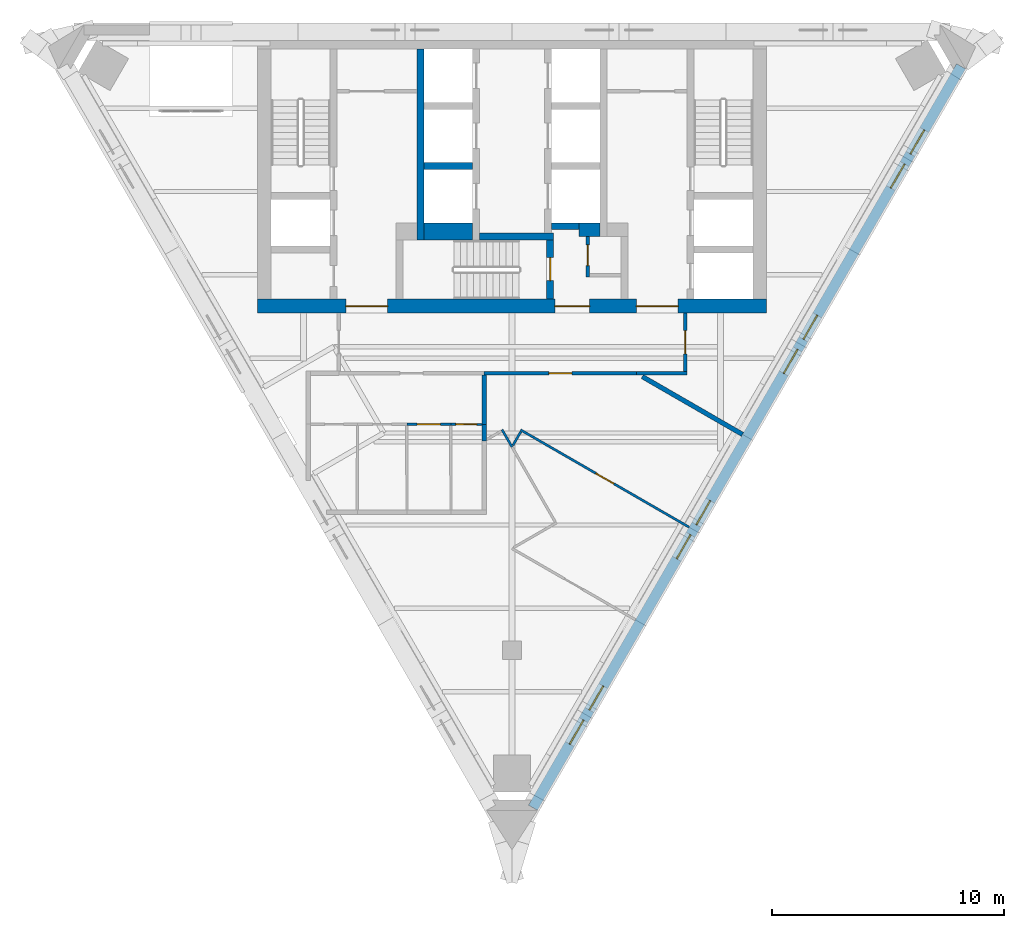
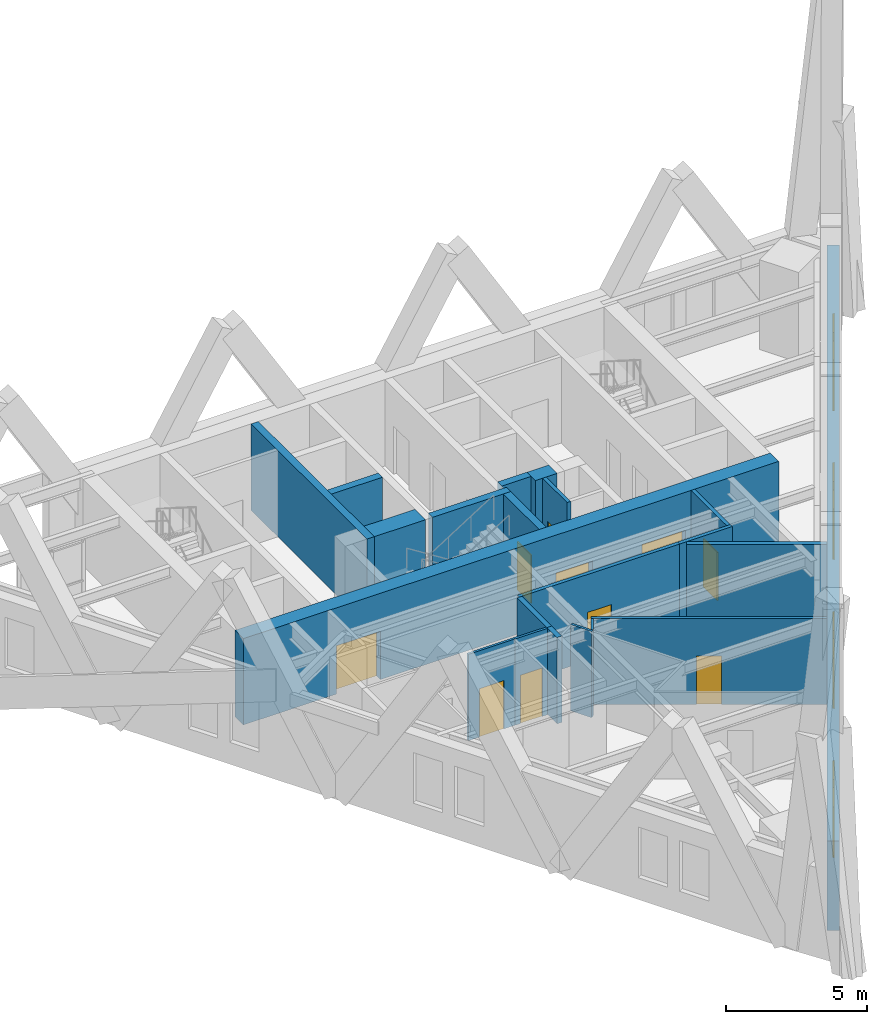
# One storey, part 5 of 9: 21 walls, 10 doors, 8 windows, 18 openings.
"""IFC4 building model written with IfcOpenShell, lengths in metres."""

from ifc_helpers import new_model, si_unit, direction, frame, frame_2d, origin, place, context, subcontext, project, spatial, polyline, rectangle, outline, extrude, material, layer, layer_set, type_object, element, fill, save


model = new_model("IFC4")

# Units and contexts
model_context = context("Model", 3, precision=1e-05, world=origin(), true_north=direction((0.0, 1.0)))
body_context = subcontext(model_context, "Body", "Model", "MODEL_VIEW")
ifc_project = project(units=[si_unit("LENGTHUNIT", "METRE"), si_unit("AREAUNIT", "SQUARE_METRE"), si_unit("VOLUMEUNIT", "CUBIC_METRE"), si_unit("PLANEANGLEUNIT", "RADIAN"), si_unit("MASSUNIT", "GRAM", prefix="KILO")], contexts=[model_context])

# Site, building, storey
site_placement = place(None, origin())
site = spatial("IfcSite", under=ifc_project, at=site_placement, CompositionType="ELEMENT")
building_placement = place(site_placement, origin())
building = spatial("IfcBuilding", under=site, at=building_placement, Name="Aloe Facet Convention Tower", CompositionType="ELEMENT")
storey_placement = place(building_placement, frame((0.0, 0.0, 254.300048828125)))
storey = spatial("IfcBuildingStorey", under=building, at=storey_placement, Name="L62", CompositionType="ELEMENT", Elevation=254.300048828125)

# Wall, opening, door
ifc_material_1 = material(Name="Concrete blockwork partition", Category="masonry")
ifc_layer_1 = layer(ifc_material_1, 0.14990234375)
ifc_layer_set_1 = layer_set([ifc_layer_1], Name="CR-W-PART150")
wall_type_1 = type_object("IfcWallType", Name="CR-W-PART150", PredefinedType="PARTITIONING", material=ifc_layer_set_1)
wall_1_placement = place(storey_placement, frame((83.27490234375, 125.85009765625, 0.0), z_axis=(0.0, 0.0, 1.0), x_axis=(0.0, -1.0, 0.0)))
wall_1 = element("IfcWall", 1, at=wall_1_placement, inside=storey, type_object=wall_type_1, Name="Core partition L62-022", PredefinedType="PARTITIONING", context=body_context, shape_type="SweptSolid", body=[
    extrude(rectangle(XDim=1.75, YDim=0.14990234375, at=frame_2d((0.875, 0.0))), origin(), (0.0, 0.0, 1.0), 3.75),
])
opening_1_placement = place(wall_1_placement, frame((0.35009765625, 0.0, 0.0)))
opening_1 = element("IfcOpeningElement", 2, at=opening_1_placement, cuts=wall_1, Name="Opening L62-CD12", PredefinedType="OPENING", context=body_context, shape_type="SweptSolid", body=[
    extrude(rectangle(XDim=0.89990234375, YDim=2.10009765625, at=frame_2d((0.449951171875, 1.050048828125))), frame((0.0, 0.0849609375, 0.0), z_axis=(0.0, -1.0, 0.0), x_axis=(1.0, 0.0, 0.0)), (0.0, 0.0, 1.0), 0.169921875),
])
ifc_material_2 = material(Name="Steel fire-resisting door set FD60", Category="steel")
door_type_1 = type_object("IfcDoorType", Name="CR-D-REFUGE-900-FD60-SRIGHT", OperationType="SINGLE_SWING_RIGHT", PredefinedType="DOOR", material=ifc_material_2)
door_1_placement = place(opening_1_placement, origin())
door_1 = element("IfcDoor", 3, at=door_1_placement, inside=storey, type_object=door_type_1, Name="Core door L62-CD12", OperationType="SINGLE_SWING_RIGHT", OverallHeight=2.10009765625, OverallWidth=0.89990234375, PredefinedType="DOOR", context=body_context, shape_type="SweptSolid", body=[
    extrude(rectangle(XDim=0.89990234375, YDim=2.10009765625, at=frame_2d((0.449951171875, 1.050048828125))), frame((0.0, 0.02490234375, 0.0), z_axis=(0.0, -1.0, 0.0), x_axis=(1.0, 0.0, 0.0)), (0.0, 0.0, 1.0), 0.050048828125),
])
fill(opening_1, door_1)

# Walls
ifc_material_3 = material(Name="Concrete C50/60", Category="concrete")
ifc_layer_2 = layer(ifc_material_3, 0.300048828125)
ifc_layer_set_2 = layer_set([ifc_layer_2], Name="CR-W-RC300-C5060")
wall_type_2 = type_object("IfcWallType", Name="CR-W-RC300-C5060", PredefinedType="SOLIDWALL", material=ifc_layer_set_2)
wall_2_placement = place(storey_placement, frame((76.050048828125, 133.949951171875, 0.0), z_axis=(0.0, 0.0, 1.0), x_axis=(0.0, -1.0, 0.0)))
element("IfcWall", 4, at=wall_2_placement, inside=storey, type_object=wall_type_2, Name="Core wall L62-010", PredefinedType="SOLIDWALL", context=body_context, shape_type="SweptSolid", body=[
    extrude(rectangle(XDim=8.25, YDim=0.300048828125, at=frame_2d((4.125, 0.0))), origin(), (0.0, 0.0, 1.0), 3.75),
])
wall_3_placement = place(storey_placement, frame((76.199951171875, 128.89990234375, 0.0), z_axis=(0.0, 0.0, 1.0), x_axis=(1.0, 0.0, 0.0)))
element("IfcWall", 5, at=wall_3_placement, inside=storey, type_object=wall_type_2, Name="Core wall L62-012", PredefinedType="SOLIDWALL", context=body_context, shape_type="SweptSolid", body=[
    extrude(rectangle(XDim=2.10009765625, YDim=0.300048828125, at=frame_2d((1.050048828125, 0.0))), origin(), (0.0, 0.0, 1.0), 3.75),
])
wall_4_placement = place(storey_placement, frame((78.60009765625, 125.85009765625, 0.0), z_axis=(0.0, 0.0, 1.0), x_axis=(1.0, 0.0, 0.0)))
element("IfcWall", 6, at=wall_4_placement, inside=storey, type_object=wall_type_2, Name="Core wall L62-015", PredefinedType="SOLIDWALL", context=body_context, shape_type="SweptSolid", body=[
    extrude(rectangle(XDim=3.199951171875, YDim=0.300048828125, at=frame_2d((1.60009765625, 0.0))), origin(), (0.0, 0.0, 1.0), 3.75),
])

# Wall, opening, door
wall_5_placement = place(storey_placement, frame((81.64990234375, 125.699951171875, 0.0), z_axis=(0.0, 0.0, 1.0), x_axis=(0.0, -1.0, 0.0)))
wall_5 = element("IfcWall", 7, at=wall_5_placement, inside=storey, type_object=wall_type_2, Name="Core wall L62-017", PredefinedType="SOLIDWALL", context=body_context, shape_type="SweptSolid", body=[
    extrude(rectangle(XDim=2.550048828125, YDim=0.300048828125, at=frame_2d((1.27490234375, 0.0))), origin(), (0.0, 0.0, 1.0), 3.75),
])
opening_2_placement = place(wall_5_placement, frame((0.75, 0.0, 0.0)))
opening_2 = element("IfcOpeningElement", 8, at=opening_2_placement, cuts=wall_5, Name="Opening L62-CD18", PredefinedType="OPENING", context=body_context, shape_type="SweptSolid", body=[
    extrude(rectangle(XDim=1.0, YDim=2.10009765625, at=frame_2d((0.5, 1.050048828125))), frame((0.0, 0.16015625, 0.0), z_axis=(0.0, -1.0, 0.0), x_axis=(1.0, 0.0, 0.0)), (0.0, 0.0, 1.0), 0.320068359375),
])
ifc_material_4 = material(Name="Steel fire-resisting door set FD120", Category="steel")
door_type_2 = type_object("IfcDoorType", Name="CR-D-STAIR-1000-FD120-SLEFT", OperationType="SINGLE_SWING_LEFT", PredefinedType="DOOR", material=ifc_material_4)
door_2_placement = place(opening_2_placement, origin())
door_2 = element("IfcDoor", 9, at=door_2_placement, inside=storey, type_object=door_type_2, Name="Core door L62-CD18", OperationType="SINGLE_SWING_LEFT", OverallHeight=2.10009765625, OverallWidth=1.0, PredefinedType="DOOR", context=body_context, shape_type="SweptSolid", body=[
    extrude(rectangle(XDim=1.0, YDim=2.10009765625, at=frame_2d((0.5, 1.050048828125))), frame((0.0, 0.02490234375, 0.0), z_axis=(0.0, -1.0, 0.0), x_axis=(1.0, 0.0, 0.0)), (0.0, 0.0, 1.0), 0.050048828125),
])
fill(opening_2, door_2)

# Wall
wall_6_placement = place(storey_placement, frame((81.699951171875, 126.300048828125, 0.0), z_axis=(0.0, 0.0, 1.0), x_axis=(1.0, 0.0, 0.0)))
element("IfcWall", 10, at=wall_6_placement, inside=storey, type_object=wall_type_2, Name="Core wall L62-020", PredefinedType="SOLIDWALL", context=body_context, shape_type="SweptSolid", body=[
    extrude(rectangle(XDim=1.199951171875, YDim=0.300048828125, at=frame_2d((0.60009765625, 0.0))), origin(), (0.0, 0.0, 1.0), 3.75),
])

# Wall, openings, doors
ifc_material_5 = material(Name="Concrete C50/60", Category="concrete")
ifc_layer_3 = layer(ifc_material_5, 0.60009765625)
ifc_layer_set_3 = layer_set([ifc_layer_3], Name="CR-W-RC600-C5060")
wall_type_3 = type_object("IfcWallType", Name="CR-W-RC600-C5060", PredefinedType="SOLIDWALL", material=ifc_layer_set_3)
wall_7_placement = place(storey_placement, frame((69.0, 122.85009765625, 0.0), z_axis=(0.0, 0.0, 1.0), x_axis=(1.0, 0.0, 0.0)))
wall_7 = element("IfcWall", 11, at=wall_7_placement, inside=storey, type_object=wall_type_3, Name="Core wall L62-003", PredefinedType="SOLIDWALL", context=body_context, shape_type="SweptSolid", body=[
    extrude(rectangle(XDim=22.0, YDim=0.60009765625, at=frame_2d((11.0, 0.0))), origin(), (0.0, 0.0, 1.0), 3.75),
])
opening_3_placement = place(wall_7_placement, frame((16.375, 0.0, 0.0)))
opening_3 = element("IfcOpeningElement", 12, at=opening_3_placement, cuts=wall_7, Name="Opening L62-CD09", PredefinedType="OPENING", context=body_context, shape_type="SweptSolid", body=[
    extrude(rectangle(XDim=1.800048828125, YDim=2.10009765625, at=frame_2d((0.89990234375, 1.050048828125))), frame((0.0, 0.31005859375, 0.0), z_axis=(0.0, -1.0, 0.0), x_axis=(1.0, 0.0, 0.0)), (0.0, 0.0, 1.0), 0.6201171875),
])
opening_4_placement = place(wall_7_placement, frame((3.824951171875, 0.0, 0.0)))
opening_4 = element("IfcOpeningElement", 13, at=opening_4_placement, cuts=wall_7, Name="Opening L62-CD10", PredefinedType="OPENING", context=body_context, shape_type="SweptSolid", body=[
    extrude(rectangle(XDim=1.800048828125, YDim=2.10009765625, at=frame_2d((0.89990234375, 1.050048828125))), frame((0.0, 0.31005859375, 0.0), z_axis=(0.0, -1.0, 0.0), x_axis=(1.0, 0.0, 0.0)), (0.0, 0.0, 1.0), 0.6201171875),
])
opening_5_placement = place(wall_7_placement, frame((12.85009765625, 0.0, 0.0)))
opening_5 = element("IfcOpeningElement", 14, at=opening_5_placement, cuts=wall_7, Name="Opening L62-CD11", PredefinedType="OPENING", context=body_context, shape_type="SweptSolid", body=[
    extrude(rectangle(XDim=1.5, YDim=2.10009765625, at=frame_2d((0.75, 1.050048828125))), frame((0.0, 0.31005859375, 0.0), z_axis=(0.0, -1.0, 0.0), x_axis=(1.0, 0.0, 0.0)), (0.0, 0.0, 1.0), 0.6201171875),
])
ifc_material_6 = material(Name="Steel fire-resisting door set FD60", Category="steel")
door_type_3 = type_object("IfcDoorType", Name="CR-D-EXIT-1500-FD60-DD", OperationType="DOUBLE_DOOR_DOUBLE_SWING", PredefinedType="DOOR", material=ifc_material_6)
door_3_placement = place(opening_5_placement, origin())
door_3 = element("IfcDoor", 15, at=door_3_placement, inside=storey, type_object=door_type_3, Name="Core door L62-CD11", OperationType="DOUBLE_DOOR_DOUBLE_SWING", OverallHeight=2.10009765625, OverallWidth=1.5, PredefinedType="DOOR", context=body_context, shape_type="SweptSolid", body=[
    extrude(rectangle(XDim=1.5, YDim=2.10009765625, at=frame_2d((0.75, 1.050048828125))), frame((0.0, 0.02490234375, 0.0), z_axis=(0.0, -1.0, 0.0), x_axis=(1.0, 0.0, 0.0)), (0.0, 0.0, 1.0), 0.050048828125),
])
fill(opening_5, door_3)
ifc_material_7 = material(Name="Steel fire-resisting door set FD120", Category="steel")
door_type_4 = type_object("IfcDoorType", Name="CR-D-EXIT-1800-FD120-DD", OperationType="DOUBLE_DOOR_DOUBLE_SWING", PredefinedType="DOOR", material=ifc_material_7)
door_4_placement = place(opening_3_placement, origin())
door_4 = element("IfcDoor", 16, at=door_4_placement, inside=storey, type_object=door_type_4, Name="Core door L62-CD09", OperationType="DOUBLE_DOOR_DOUBLE_SWING", OverallHeight=2.10009765625, OverallWidth=1.800048828125, PredefinedType="DOOR", context=body_context, shape_type="SweptSolid", body=[
    extrude(rectangle(XDim=1.800048828125, YDim=2.10009765625, at=frame_2d((0.89990234375, 1.050048828125))), frame((0.0, 0.02490234375, 0.0), z_axis=(0.0, -1.0, 0.0), x_axis=(1.0, 0.0, 0.0)), (0.0, 0.0, 1.0), 0.050048828125),
])
fill(opening_3, door_4)
door_5_placement = place(opening_4_placement, origin())
door_5 = element("IfcDoor", 17, at=door_5_placement, inside=storey, type_object=door_type_4, Name="Core door L62-CD10", OperationType="DOUBLE_DOOR_DOUBLE_SWING", OverallHeight=2.10009765625, OverallWidth=1.800048828125, PredefinedType="DOOR", context=body_context, shape_type="SweptSolid", body=[
    extrude(rectangle(XDim=1.800048828125, YDim=2.10009765625, at=frame_2d((0.89990234375, 1.050048828125))), frame((0.0, 0.02490234375, 0.0), z_axis=(0.0, -1.0, 0.0), x_axis=(1.0, 0.0, 0.0)), (0.0, 0.0, 1.0), 0.050048828125),
])
fill(opening_4, door_5)

# Walls
wall_8_placement = place(storey_placement, frame((82.89990234375, 126.14990234375, 0.0), z_axis=(0.0, 0.0, 1.0), x_axis=(1.0, 0.0, 0.0)))
element("IfcWall", 18, at=wall_8_placement, inside=storey, type_object=wall_type_3, Name="Core wall L62-021", PredefinedType="SOLIDWALL", context=body_context, shape_type="SweptSolid", body=[
    extrude(rectangle(XDim=0.900146484375, YDim=0.60009765625, at=frame_2d((0.4501953125, 0.0))), origin(), (0.0, 0.0, 1.0), 3.75),
])
ifc_material_8 = material(Name="Concrete C50/60", Category="concrete")
ifc_layer_4 = layer(ifc_material_8, 0.75)
ifc_layer_set_4 = layer_set([ifc_layer_4], Name="CR-W-RC750-C5060")
wall_type_4 = type_object("IfcWallType", Name="CR-W-RC750-C5060", PredefinedType="SOLIDWALL", material=ifc_layer_set_4)
wall_9_placement = place(storey_placement, frame((76.199951171875, 126.074951171875, 0.0), z_axis=(0.0, 0.0, 1.0), x_axis=(1.0, 0.0, 0.0)))
element("IfcWall", 19, at=wall_9_placement, inside=storey, type_object=wall_type_4, Name="Core wall L62-013", PredefinedType="SOLIDWALL", context=body_context, shape_type="SweptSolid", body=[
    extrude(rectangle(XDim=2.10009765625, YDim=0.75, at=frame_2d((1.050048828125, 0.0))), origin(), (0.0, 0.0, 1.0), 3.75),
])

# Wall, openings, windows
ifc_material_9 = material(Name="Precast concrete C40/50", Category="concrete")
ifc_layer_5 = layer(ifc_material_9, 0.449951171875)
ifc_layer_set_5 = layer_set([ifc_layer_5], Name="EV-WALL-STONE")
wall_type_5 = type_object("IfcWallType", Name="EV-WALL-STONE", PredefinedType="SOLIDWALL", material=ifc_layer_set_5)
wall_10_placement = place(storey_placement, frame((80.905029296875, 101.188232421875, -0.150146484375), z_axis=(0.0, 0.0, 1.0), x_axis=(0.500002536638, 0.866023939251, 0.0)))
wall_10 = element("IfcWall", 20, at=wall_10_placement, inside=storey, type_object=wall_type_5, Name="EW-L62-E01", PredefinedType="SOLIDWALL", context=body_context, shape_type="SweptSolid", body=[
    extrude(outline(polyline([(36.972412109375, 0.0), (36.972412109375, 3.900146484375), (0.0, 3.900146484375), (0.0, 0.0), (36.972412109375, 0.0)])), frame((0.0, 0.22509765625, 0.0), z_axis=(0.0, -1.0, 0.0), x_axis=(1.0, 0.0, 0.0)), (0.0, 0.0, 1.0), 0.449951171875),
])
opening_6_placement = place(wall_10_placement, frame((3.171630859375, 0.0, 0.949951171875)))
opening_6 = element("IfcOpeningElement", 21, at=opening_6_placement, cuts=wall_10, Name="Opening W-L62-E01", PredefinedType="OPENING", context=body_context, shape_type="SweptSolid", body=[
    extrude(rectangle(XDim=1.199951171875, YDim=2.199951171875, at=frame_2d((0.60009765625, 1.10009765625))), frame((0.0, 0.23486328125, 0.0), z_axis=(0.0, -1.0, 0.0), x_axis=(1.0, 0.0, 0.0)), (0.0, 0.0, 1.0), 0.469970703125),
])
opening_7_placement = place(wall_10_placement, frame((4.87158203125, 0.0, 0.949951171875)))
opening_7 = element("IfcOpeningElement", 22, at=opening_7_placement, cuts=wall_10, Name="Opening W-L62-E02", PredefinedType="OPENING", context=body_context, shape_type="SweptSolid", body=[
    extrude(rectangle(XDim=1.199951171875, YDim=2.199951171875, at=frame_2d((0.60009765625, 1.10009765625))), frame((0.0, 0.23486328125, 0.0), z_axis=(0.0, -1.0, 0.0), x_axis=(1.0, 0.0, 0.0)), (0.0, 0.0, 1.0), 0.469970703125),
])
opening_8_placement = place(wall_10_placement, frame((12.41455078125, 0.0, 0.949951171875)))
opening_8 = element("IfcOpeningElement", 23, at=opening_8_placement, cuts=wall_10, Name="Opening W-L62-E03", PredefinedType="OPENING", context=body_context, shape_type="SweptSolid", body=[
    extrude(rectangle(XDim=1.199951171875, YDim=2.199951171875, at=frame_2d((0.60009765625, 1.10009765625))), frame((0.0, 0.23486328125, 0.0), z_axis=(0.0, -1.0, 0.0), x_axis=(1.0, 0.0, 0.0)), (0.0, 0.0, 1.0), 0.469970703125),
])
opening_9_placement = place(wall_10_placement, frame((14.114501953125, 0.0, 0.949951171875)))
opening_9 = element("IfcOpeningElement", 24, at=opening_9_placement, cuts=wall_10, Name="Opening W-L62-E04", PredefinedType="OPENING", context=body_context, shape_type="SweptSolid", body=[
    extrude(rectangle(XDim=1.199951171875, YDim=2.199951171875, at=frame_2d((0.60009765625, 1.10009765625))), frame((0.0, 0.23486328125, 0.0), z_axis=(0.0, -1.0, 0.0), x_axis=(1.0, 0.0, 0.0)), (0.0, 0.0, 1.0), 0.469970703125),
])
opening_10_placement = place(wall_10_placement, frame((21.65771484375, 0.0, 0.949951171875)))
opening_10 = element("IfcOpeningElement", 25, at=opening_10_placement, cuts=wall_10, Name="Opening W-L62-E05", PredefinedType="OPENING", context=body_context, shape_type="SweptSolid", body=[
    extrude(rectangle(XDim=1.199951171875, YDim=2.199951171875, at=frame_2d((0.60009765625, 1.10009765625))), frame((0.0, 0.23486328125, 0.0), z_axis=(0.0, -1.0, 0.0), x_axis=(1.0, 0.0, 0.0)), (0.0, 0.0, 1.0), 0.469970703125),
])
opening_11_placement = place(wall_10_placement, frame((23.357666015625, 0.0, 0.949951171875)))
opening_11 = element("IfcOpeningElement", 26, at=opening_11_placement, cuts=wall_10, Name="Opening W-L62-E06", PredefinedType="OPENING", context=body_context, shape_type="SweptSolid", body=[
    extrude(rectangle(XDim=1.199951171875, YDim=2.199951171875, at=frame_2d((0.60009765625, 1.10009765625))), frame((0.0, 0.23486328125, 0.0), z_axis=(0.0, -1.0, 0.0), x_axis=(1.0, 0.0, 0.0)), (0.0, 0.0, 1.0), 0.469970703125),
])
opening_12_placement = place(wall_10_placement, frame((30.90087890625, 0.0, 0.949951171875)))
opening_12 = element("IfcOpeningElement", 27, at=opening_12_placement, cuts=wall_10, Name="Opening W-L62-E07", PredefinedType="OPENING", context=body_context, shape_type="SweptSolid", body=[
    extrude(rectangle(XDim=1.199951171875, YDim=2.199951171875, at=frame_2d((0.60009765625, 1.10009765625))), frame((0.0, 0.23486328125, 0.0), z_axis=(0.0, -1.0, 0.0), x_axis=(1.0, 0.0, 0.0)), (0.0, 0.0, 1.0), 0.469970703125),
])
opening_13_placement = place(wall_10_placement, frame((32.600830078125, 0.0, 0.949951171875)))
opening_13 = element("IfcOpeningElement", 28, at=opening_13_placement, cuts=wall_10, Name="Opening W-L62-E08", PredefinedType="OPENING", context=body_context, shape_type="SweptSolid", body=[
    extrude(rectangle(XDim=1.199951171875, YDim=2.199951171875, at=frame_2d((0.60009765625, 1.10009765625))), frame((0.0, 0.23486328125, 0.0), z_axis=(0.0, -1.0, 0.0), x_axis=(1.0, 0.0, 0.0)), (0.0, 0.0, 1.0), 0.469970703125),
])
ifc_material_10 = material(Name="Aluminium frame, clear double glazing", Category="aluminium")
window_type = type_object("IfcWindowType", Name="EV-WIN-O12", PartitioningType="SINGLE_PANEL", PredefinedType="WINDOW", material=ifc_material_10)
window_1_placement = place(opening_6_placement, origin())
window_1 = element("IfcWindow", 29, at=window_1_placement, inside=storey, type_object=window_type, Name="W-L62-E01", OverallHeight=2.199951171875, OverallWidth=1.199951171875, PartitioningType="SINGLE_PANEL", PredefinedType="WINDOW", context=body_context, shape_type="SweptSolid", body=[
    extrude(rectangle(XDim=1.199951171875, YDim=2.199951171875, at=frame_2d((0.60009765625, 1.10009765625))), frame((0.0, 0.030029296875, 0.0), z_axis=(0.0, -1.0, 0.0), x_axis=(1.0, 0.0, 0.0)), (0.0, 0.0, 1.0), 0.06005859375),
])
fill(opening_6, window_1)
window_2_placement = place(opening_7_placement, origin())
window_2 = element("IfcWindow", 30, at=window_2_placement, inside=storey, type_object=window_type, Name="W-L62-E02", OverallHeight=2.199951171875, OverallWidth=1.199951171875, PartitioningType="SINGLE_PANEL", PredefinedType="WINDOW", context=body_context, shape_type="SweptSolid", body=[
    extrude(rectangle(XDim=1.199951171875, YDim=2.199951171875, at=frame_2d((0.60009765625, 1.10009765625))), frame((0.0, 0.030029296875, 0.0), z_axis=(0.0, -1.0, 0.0), x_axis=(1.0, 0.0, 0.0)), (0.0, 0.0, 1.0), 0.06005859375),
])
fill(opening_7, window_2)
window_3_placement = place(opening_8_placement, origin())
window_3 = element("IfcWindow", 31, at=window_3_placement, inside=storey, type_object=window_type, Name="W-L62-E03", OverallHeight=2.199951171875, OverallWidth=1.199951171875, PartitioningType="SINGLE_PANEL", PredefinedType="WINDOW", context=body_context, shape_type="SweptSolid", body=[
    extrude(rectangle(XDim=1.199951171875, YDim=2.199951171875, at=frame_2d((0.60009765625, 1.10009765625))), frame((0.0, 0.030029296875, 0.0), z_axis=(0.0, -1.0, 0.0), x_axis=(1.0, 0.0, 0.0)), (0.0, 0.0, 1.0), 0.06005859375),
])
fill(opening_8, window_3)
window_4_placement = place(opening_9_placement, origin())
window_4 = element("IfcWindow", 32, at=window_4_placement, inside=storey, type_object=window_type, Name="W-L62-E04", OverallHeight=2.199951171875, OverallWidth=1.199951171875, PartitioningType="SINGLE_PANEL", PredefinedType="WINDOW", context=body_context, shape_type="SweptSolid", body=[
    extrude(rectangle(XDim=1.199951171875, YDim=2.199951171875, at=frame_2d((0.60009765625, 1.10009765625))), frame((0.0, 0.030029296875, 0.0), z_axis=(0.0, -1.0, 0.0), x_axis=(1.0, 0.0, 0.0)), (0.0, 0.0, 1.0), 0.06005859375),
])
fill(opening_9, window_4)
window_5_placement = place(opening_10_placement, origin())
window_5 = element("IfcWindow", 33, at=window_5_placement, inside=storey, type_object=window_type, Name="W-L62-E05", OverallHeight=2.199951171875, OverallWidth=1.199951171875, PartitioningType="SINGLE_PANEL", PredefinedType="WINDOW", context=body_context, shape_type="SweptSolid", body=[
    extrude(rectangle(XDim=1.199951171875, YDim=2.199951171875, at=frame_2d((0.60009765625, 1.10009765625))), frame((0.0, 0.030029296875, 0.0), z_axis=(0.0, -1.0, 0.0), x_axis=(1.0, 0.0, 0.0)), (0.0, 0.0, 1.0), 0.06005859375),
])
fill(opening_10, window_5)
window_6_placement = place(opening_11_placement, origin())
window_6 = element("IfcWindow", 34, at=window_6_placement, inside=storey, type_object=window_type, Name="W-L62-E06", OverallHeight=2.199951171875, OverallWidth=1.199951171875, PartitioningType="SINGLE_PANEL", PredefinedType="WINDOW", context=body_context, shape_type="SweptSolid", body=[
    extrude(rectangle(XDim=1.199951171875, YDim=2.199951171875, at=frame_2d((0.60009765625, 1.10009765625))), frame((0.0, 0.030029296875, 0.0), z_axis=(0.0, -1.0, 0.0), x_axis=(1.0, 0.0, 0.0)), (0.0, 0.0, 1.0), 0.06005859375),
])
fill(opening_11, window_6)
window_7_placement = place(opening_12_placement, origin())
window_7 = element("IfcWindow", 35, at=window_7_placement, inside=storey, type_object=window_type, Name="W-L62-E07", OverallHeight=2.199951171875, OverallWidth=1.199951171875, PartitioningType="SINGLE_PANEL", PredefinedType="WINDOW", context=body_context, shape_type="SweptSolid", body=[
    extrude(rectangle(XDim=1.199951171875, YDim=2.199951171875, at=frame_2d((0.60009765625, 1.10009765625))), frame((0.0, 0.030029296875, 0.0), z_axis=(0.0, -1.0, 0.0), x_axis=(1.0, 0.0, 0.0)), (0.0, 0.0, 1.0), 0.06005859375),
])
fill(opening_12, window_7)
window_8_placement = place(opening_13_placement, origin())
window_8 = element("IfcWindow", 36, at=window_8_placement, inside=storey, type_object=window_type, Name="W-L62-E08", OverallHeight=2.199951171875, OverallWidth=1.199951171875, PartitioningType="SINGLE_PANEL", PredefinedType="WINDOW", context=body_context, shape_type="SweptSolid", body=[
    extrude(rectangle(XDim=1.199951171875, YDim=2.199951171875, at=frame_2d((0.60009765625, 1.10009765625))), frame((0.0, 0.030029296875, 0.0), z_axis=(0.0, -1.0, 0.0), x_axis=(1.0, 0.0, 0.0)), (0.0, 0.0, 1.0), 0.06005859375),
])
fill(opening_13, window_8)

# Wall, opening, door
ifc_material_11 = material(Name="Gypsum board partition on steel studs", Category="steel")
ifc_layer_6 = layer(ifc_material_11, 0.14990234375)
ifc_layer_set_6 = layer_set([ifc_layer_6], Name="IN-W-CORR")
wall_type_6 = type_object("IfcWallType", Name="IN-W-CORR", PredefinedType="PARTITIONING", material=ifc_layer_set_6)
wall_11_placement = place(storey_placement, frame((78.800048828125, 119.949951171875, 0.0), z_axis=(0.0, 0.0, 1.0), x_axis=(1.0, 0.0, 0.0)))
wall_11 = element("IfcWall", 37, at=wall_11_placement, inside=storey, type_object=wall_type_6, Name="Partition L62-W028", PredefinedType="PARTITIONING", context=body_context, shape_type="SweptSolid", body=[
    extrude(rectangle(XDim=6.581298828125, YDim=0.14990234375, at=frame_2d((3.29052734375, 0.0))), origin(), (0.0, 0.0, 1.0), 3.75),
])
opening_14_placement = place(wall_11_placement, frame((2.79052734375, 0.0, 0.0)))
opening_14 = element("IfcOpeningElement", 38, at=opening_14_placement, cuts=wall_11, Name="Opening L62-009", PredefinedType="OPENING", context=body_context, shape_type="SweptSolid", body=[
    extrude(rectangle(XDim=1.0, YDim=2.10009765625, at=frame_2d((0.5, 1.050048828125))), frame((0.0, 0.0849609375, 0.0), z_axis=(0.0, -1.0, 0.0), x_axis=(1.0, 0.0, 0.0)), (0.0, 0.0, 1.0), 0.169921875),
])
ifc_material_12 = material(Name="Timber door FD30S with vision panel", Category="wood")
door_type_5 = type_object("IfcDoorType", Name="IN-OFF-D-ENTRY", OperationType="SINGLE_SWING_LEFT", PredefinedType="DOOR", material=ifc_material_12)
door_6_placement = place(opening_14_placement, origin())
door_6 = element("IfcDoor", 39, at=door_6_placement, inside=storey, type_object=door_type_5, Name="Door L62-009", OperationType="SINGLE_SWING_LEFT", OverallHeight=2.10009765625, OverallWidth=1.0, PredefinedType="DOOR", context=body_context, shape_type="SweptSolid", body=[
    extrude(rectangle(XDim=1.0, YDim=2.10009765625, at=frame_2d((0.5, 1.050048828125))), frame((0.0, 0.02490234375, 0.0), z_axis=(0.0, -1.0, 0.0), x_axis=(1.0, 0.0, 0.0)), (0.0, 0.0, 1.0), 0.050048828125),
])
fill(opening_14, door_6)

# Wall
wall_12_placement = place(storey_placement, frame((85.38134765625, 119.949951171875, 0.0), z_axis=(0.0, 0.0, 1.0), x_axis=(1.0, 0.0, 0.0)))
element("IfcWall", 40, at=wall_12_placement, inside=storey, type_object=wall_type_6, Name="Partition L62-W029", PredefinedType="PARTITIONING", context=body_context, shape_type="SweptSolid", body=[
    extrude(rectangle(XDim=2.168701171875, YDim=0.14990234375, at=frame_2d((1.08447265625, 0.0))), origin(), (0.0, 0.0, 1.0), 3.75),
])

# Wall, opening, door
wall_13_placement = place(storey_placement, frame((87.47509765625, 120.02490234375, 0.0), z_axis=(0.0, 0.0, 1.0), x_axis=(0.0, 1.0, 0.0)))
wall_13 = element("IfcWall", 41, at=wall_13_placement, inside=storey, type_object=wall_type_6, Name="Partition L62-W030", PredefinedType="PARTITIONING", context=body_context, shape_type="SweptSolid", body=[
    extrude(rectangle(XDim=2.525146484375, YDim=0.14990234375, at=frame_2d((1.2626953125, 0.0))), origin(), (0.0, 0.0, 1.0), 3.75),
])
opening_15_placement = place(wall_13_placement, frame((0.762451171875, 0.0, 0.0)))
opening_15 = element("IfcOpeningElement", 42, at=opening_15_placement, cuts=wall_13, Name="Opening L62-010", PredefinedType="OPENING", context=body_context, shape_type="SweptSolid", body=[
    extrude(rectangle(XDim=1.0, YDim=2.10009765625, at=frame_2d((0.5, 1.050048828125))), frame((0.0, 0.0849609375, 0.0), z_axis=(0.0, -1.0, 0.0), x_axis=(1.0, 0.0, 0.0)), (0.0, 0.0, 1.0), 0.169921875),
])
door_7_placement = place(opening_15_placement, origin())
door_7 = element("IfcDoor", 43, at=door_7_placement, inside=storey, type_object=door_type_5, Name="Door L62-010", OperationType="SINGLE_SWING_LEFT", OverallHeight=2.10009765625, OverallWidth=1.0, PredefinedType="DOOR", context=body_context, shape_type="SweptSolid", body=[
    extrude(rectangle(XDim=1.0, YDim=2.10009765625, at=frame_2d((0.5, 1.050048828125))), frame((0.0, 0.02490234375, 0.0), z_axis=(0.0, -1.0, 0.0), x_axis=(1.0, 0.0, 0.0)), (0.0, 0.0, 1.0), 0.050048828125),
])
fill(opening_15, door_7)

ifc_material_13 = material(Name="Gypsum board partition on steel studs", Category="steel")
ifc_layer_7 = layer(ifc_material_13, 0.10009765625)
ifc_layer_set_7 = layer_set([ifc_layer_7], Name="IN-W-PART")
wall_type_7 = type_object("IfcWallType", Name="IN-W-PART", PredefinedType="PARTITIONING", material=ifc_layer_set_7)
wall_14_placement = place(storey_placement, frame((80.36962890625, 117.5068359375, 0.0), z_axis=(0.0, 0.0, 1.0), x_axis=(0.866028733576, -0.499994232587, 0.0)))
wall_14 = element("IfcWall", 44, at=wall_14_placement, inside=storey, type_object=wall_type_7, Name="Partition L62-W003", PredefinedType="PARTITIONING", context=body_context, shape_type="SweptSolid", body=[
    extrude(rectangle(XDim=8.39794921875, YDim=0.10009765625, at=frame_2d((4.198974609375, 0.0))), origin(), (0.0, 0.0, 1.0), 3.75),
])
opening_16_placement = place(wall_14_placement, frame((3.7490234375, 0.0, 0.0)))
opening_16 = element("IfcOpeningElement", 45, at=opening_16_placement, cuts=wall_14, Name="Opening L62-008", PredefinedType="OPENING", context=body_context, shape_type="SweptSolid", body=[
    extrude(rectangle(XDim=0.89990234375, YDim=2.10009765625, at=frame_2d((0.449951171875, 1.050048828125))), frame((0.0, 0.06005859375, 0.0), z_axis=(0.0, -1.0, 0.0), x_axis=(1.0, 0.0, 0.0)), (0.0, 0.0, 1.0), 0.1201171875),
])
ifc_material_14 = material(Name="Timber door", Category="wood")
door_type_6 = type_object("IfcDoorType", Name="IN-OFF-D-ROOM", OperationType="SINGLE_SWING_LEFT", PredefinedType="DOOR", material=ifc_material_14)
door_8_placement = place(opening_16_placement, origin())
door_8 = element("IfcDoor", 46, at=door_8_placement, inside=storey, type_object=door_type_6, Name="Door L62-008", OperationType="SINGLE_SWING_LEFT", OverallHeight=2.10009765625, OverallWidth=0.89990234375, PredefinedType="DOOR", context=body_context, shape_type="SweptSolid", body=[
    extrude(rectangle(XDim=0.89990234375, YDim=2.10009765625, at=frame_2d((0.449951171875, 1.050048828125))), frame((0.0, 0.02490234375, 0.0), z_axis=(0.0, -1.0, 0.0), x_axis=(1.0, 0.0, 0.0)), (0.0, 0.0, 1.0), 0.050048828125),
])
fill(opening_16, door_8)

# Walls
wall_15_placement = place(storey_placement, frame((79.56982421875, 117.515869140625, 0.0), z_axis=(0.0, 0.0, 1.0), x_axis=(0.499861615673, -0.866105285272, 0.0)))
element("IfcWall", 47, at=wall_15_placement, inside=storey, type_object=wall_type_7, Name="Partition L62-W010", PredefinedType="PARTITIONING", context=body_context, shape_type="SweptSolid", body=[
    extrude(rectangle(XDim=0.860595703125, YDim=0.10009765625, at=frame_2d((0.43017578125, 0.0))), origin(), (0.0, 0.0, 1.0), 3.75),
])
wall_16_placement = place(storey_placement, frame((80.040283203125, 116.839599609375, 0.0), z_axis=(0.0, 0.0, 1.0), x_axis=(0.501867975937, 0.86494423793, 0.0)))
element("IfcWall", 48, at=wall_16_placement, inside=storey, type_object=wall_type_7, Name="Partition L62-W013", PredefinedType="PARTITIONING", context=body_context, shape_type="SweptSolid", body=[
    extrude(rectangle(XDim=0.6826171875, YDim=0.10009765625, at=frame_2d((0.34130859375, 0.0))), origin(), (0.0, 0.0, 1.0), 3.75),
])

# Wall, opening, door
wall_17_placement = place(storey_placement, frame((75.4560546875, 117.75, 0.0), z_axis=(0.0, 0.0, 1.0), x_axis=(1.0, 0.0, 0.0)))
wall_17 = element("IfcWall", 49, at=wall_17_placement, inside=storey, type_object=wall_type_7, Name="Partition L62-W021", PredefinedType="PARTITIONING", context=body_context, shape_type="SweptSolid", body=[
    extrude(rectangle(XDim=1.89990234375, YDim=0.10009765625, at=frame_2d((0.949951171875, 0.0))), origin(), (0.0, 0.0, 1.0), 3.75),
])
opening_17_placement = place(wall_17_placement, frame((0.449951171875, 0.0, 0.0)))
opening_17 = element("IfcOpeningElement", 50, at=opening_17_placement, cuts=wall_17, Name="Opening L62-004", PredefinedType="OPENING", context=body_context, shape_type="SweptSolid", body=[
    extrude(rectangle(XDim=1.0, YDim=2.10009765625, at=frame_2d((0.5, 1.050048828125))), frame((0.0, 0.06005859375, 0.0), z_axis=(0.0, -1.0, 0.0), x_axis=(1.0, 0.0, 0.0)), (0.0, 0.0, 1.0), 0.1201171875),
])
ifc_material_15 = material(Name="Timber door", Category="wood")
door_type_7 = type_object("IfcDoorType", Name="IN-OFF-D-WIDE", OperationType="SINGLE_SWING_LEFT", PredefinedType="DOOR", material=ifc_material_15)
door_9_placement = place(opening_17_placement, origin())
door_9 = element("IfcDoor", 51, at=door_9_placement, inside=storey, type_object=door_type_7, Name="Door L62-004", OperationType="SINGLE_SWING_LEFT", OverallHeight=2.10009765625, OverallWidth=1.0, PredefinedType="DOOR", context=body_context, shape_type="SweptSolid", body=[
    extrude(rectangle(XDim=1.0, YDim=2.10009765625, at=frame_2d((0.5, 1.050048828125))), frame((0.0, 0.02490234375, 0.0), z_axis=(0.0, -1.0, 0.0), x_axis=(1.0, 0.0, 0.0)), (0.0, 0.0, 1.0), 0.050048828125),
])
fill(opening_17, door_9)

wall_18_placement = place(storey_placement, frame((77.35595703125, 117.75, 0.0), z_axis=(0.0, 0.0, 1.0), x_axis=(0.99997617642, -0.006902651172, 0.0)))
wall_18 = element("IfcWall", 52, at=wall_18_placement, inside=storey, type_object=wall_type_7, Name="Partition L62-W022", PredefinedType="PARTITIONING", context=body_context, shape_type="SweptSolid", body=[
    extrude(rectangle(XDim=1.343994140625, YDim=0.10009765625, at=frame_2d((0.671875, 0.0))), origin(), (0.0, 0.0, 1.0), 3.75),
])
opening_18_placement = place(wall_18_placement, frame((0.221923828125, 0.0, 0.0)))
opening_18 = element("IfcOpeningElement", 53, at=opening_18_placement, cuts=wall_18, Name="Opening L62-005", PredefinedType="OPENING", context=body_context, shape_type="SweptSolid", body=[
    extrude(rectangle(XDim=0.89990234375, YDim=2.10009765625, at=frame_2d((0.449951171875, 1.050048828125))), frame((0.0, 0.06005859375, 0.0), z_axis=(0.0, -1.0, 0.0), x_axis=(1.0, 0.0, 0.0)), (0.0, 0.0, 1.0), 0.1201171875),
])
door_10_placement = place(opening_18_placement, origin())
door_10 = element("IfcDoor", 54, at=door_10_placement, inside=storey, type_object=door_type_6, Name="Door L62-005", OperationType="SINGLE_SWING_LEFT", OverallHeight=2.10009765625, OverallWidth=0.89990234375, PredefinedType="DOOR", context=body_context, shape_type="SweptSolid", body=[
    extrude(rectangle(XDim=0.89990234375, YDim=2.10009765625, at=frame_2d((0.449951171875, 1.050048828125))), frame((0.0, 0.02490234375, 0.0), z_axis=(0.0, -1.0, 0.0), x_axis=(1.0, 0.0, 0.0)), (0.0, 0.0, 1.0), 0.050048828125),
])
fill(opening_18, door_10)

# Walls
ifc_material_16 = material(Name="Gypsum board partition on steel studs", Category="steel")
ifc_layer_8 = layer(ifc_material_16, 0.199951171875)
ifc_layer_set_8 = layer_set([ifc_layer_8], Name="IN-W-PARTY")
wall_type_8 = type_object("IfcWallType", Name="IN-W-PARTY", PredefinedType="PARTITIONING", material=ifc_layer_set_8)
wall_19_placement = place(storey_placement, frame((78.800048828125, 117.02734375, 0.0), z_axis=(0.0, 0.0, 1.0), x_axis=(0.0, 1.0, 0.0)))
element("IfcWall", 55, at=wall_19_placement, inside=storey, type_object=wall_type_8, Name="Partition L62-W011", PredefinedType="PARTITIONING", context=body_context, shape_type="SweptSolid", body=[
    extrude(rectangle(XDim=0.712646484375, YDim=0.199951171875, at=frame_2d((0.3564453125, 0.0))), origin(), (0.0, 0.0, 1.0), 3.75),
])
wall_20_placement = place(storey_placement, frame((85.628173828125, 119.807373046875, 0.0), z_axis=(0.0, 0.0, 1.0), x_axis=(0.866031670005, -0.49998914643, 0.0)))
element("IfcWall", 56, at=wall_20_placement, inside=storey, type_object=wall_type_8, Name="Partition L62-W012", PredefinedType="PARTITIONING", context=body_context, shape_type="SweptSolid", body=[
    extrude(rectangle(XDim=4.9921875, YDim=0.199951171875, at=frame_2d((2.49609375, 0.0))), origin(), (0.0, 0.0, 1.0), 3.75),
])
wall_21_placement = place(storey_placement, frame((78.800048828125, 117.739990234375, 0.0), z_axis=(0.0, 0.0, 1.0), x_axis=(0.0, 1.0, 0.0)))
element("IfcWall", 57, at=wall_21_placement, inside=storey, type_object=wall_type_8, Name="Partition L62-W015", PredefinedType="PARTITIONING", context=body_context, shape_type="SweptSolid", body=[
    extrude(rectangle(XDim=2.135009765625, YDim=0.199951171875, at=frame_2d((1.0673828125, 0.0))), origin(), (0.0, 0.0, 1.0), 3.75),
])

save(model, "model.ifc")
